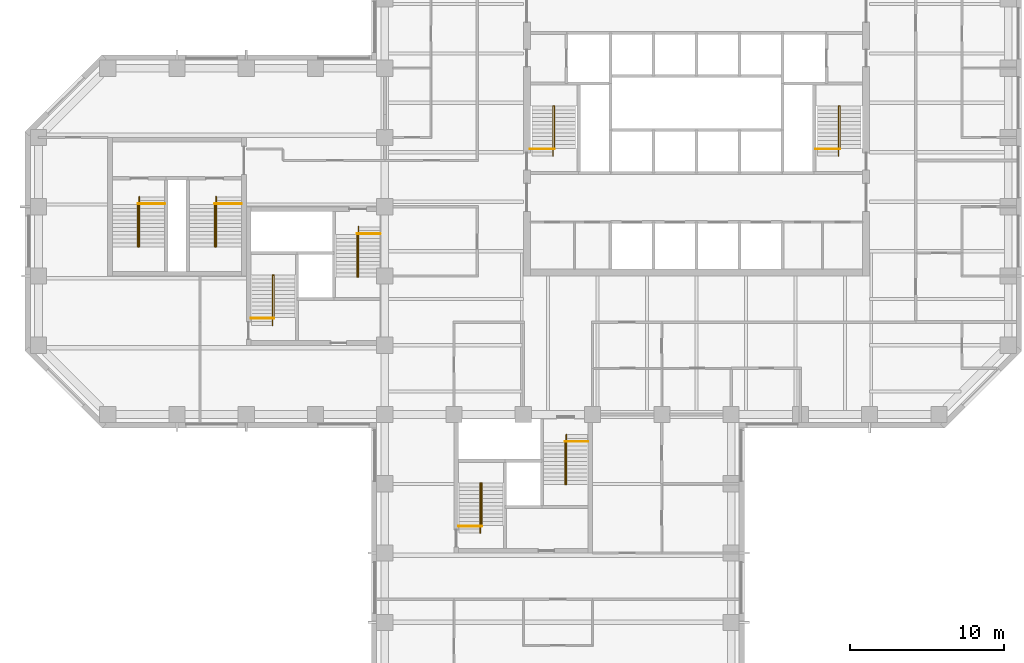
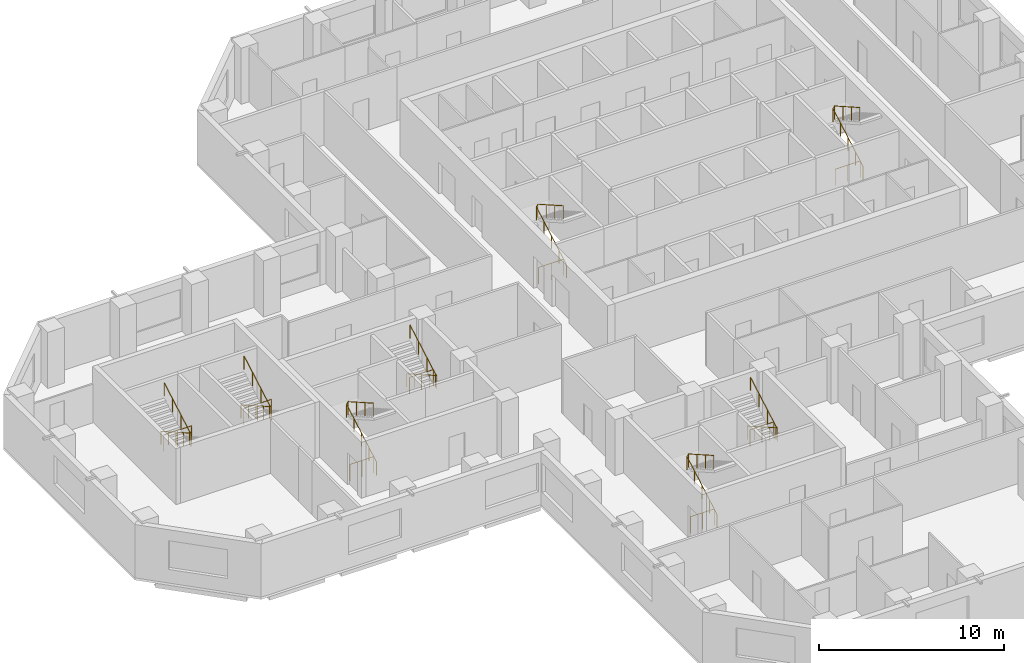
# One storey, part 11 of 11: 16 railings.
"""IFC4 building model written with IfcOpenShell, lengths in metres."""

from ifc_helpers import new_model, si_unit, direction, frame, origin, origin_2d, place, context, subcontext, project, spatial, circle, extrude, material, type_object, element, save


model = new_model("IFC4")

# Units and contexts
model_context = context("Model", 3, precision=1e-05, world=origin(), true_north=direction((0.0, 1.0)))
body_context = subcontext(model_context, "Body", "Model", "MODEL_VIEW")
ifc_project = project(units=[si_unit("LENGTHUNIT", "METRE"), si_unit("AREAUNIT", "SQUARE_METRE"), si_unit("VOLUMEUNIT", "CUBIC_METRE"), si_unit("PLANEANGLEUNIT", "RADIAN"), si_unit("MASSUNIT", "GRAM", prefix="KILO")], contexts=[model_context])

# Site, building, storey
site_placement = place(None, origin())
site = spatial("IfcSite", under=ifc_project, at=site_placement, CompositionType="ELEMENT")
building_placement = place(site_placement, origin())
building = spatial("IfcBuilding", under=site, at=building_placement, Name="Quoin Convention Tower", CompositionType="ELEMENT")
storey_placement = place(building_placement, frame((0.0, 0.0, 108.5)))
storey = spatial("IfcBuildingStorey", under=building, at=storey_placement, Name="L28", CompositionType="ELEMENT", Elevation=108.5)

# Railings
ifc_material = material(Name="Stainless steel", Category="steel")
railing_type_1 = type_object("IfcRailingType", Name="Stair handrail 900", PredefinedType="HANDRAIL", material=ifc_material)
railing_1_placement = place(storey_placement, frame((46.929931640625, 57.300048828125, 0.142333984375)))
element("IfcRailing", 1, at=railing_1_placement, inside=storey, type_object=railing_type_1, Name="SD1 handrail 1", PredefinedType="HANDRAIL", context=body_context, shape_type="SweptSolid", body=[
    extrude(circle(Radius=0.02392578125, at=origin_2d()), frame((0.0, 0.0, 0.8759765625), z_axis=(0.0, 0.869081571614, 0.494668800189), x_axis=(-1.0, 0.0, 0.0)), (0.0, 0.0, 1.0), 3.739501953125),
    extrude(circle(Radius=0.02392578125, at=origin_2d()), frame((0.0, 3.25, 2.7255859375), z_axis=(0.53481069233, 0.0, 0.844971906852), x_axis=(0.0, 1.0, 0.0)), (0.0, 0.0, 1.0), 0.16845703125),
    extrude(circle(Radius=0.02392578125, at=origin_2d()), frame((0.090087890625, 3.25, 2.8681640625), z_axis=(0.0, -0.869058607571, 0.494709143443), x_axis=(1.0, 0.0, 0.0)), (0.0, 0.0, 1.0), 3.164306640625),
    extrude(circle(Radius=0.02099609375, at=origin_2d()), origin(), (0.0, 0.0, 1.0), 0.851806640625),
    extrude(circle(Radius=0.02099609375, at=origin_2d()), frame((0.0, 0.8125, 0.46240234375)), (0.0, 0.0, 1.0), 0.851806640625),
    extrude(circle(Radius=0.02099609375, at=origin_2d()), frame((0.0, 1.625, 0.9248046875)), (0.0, 0.0, 1.0), 0.851806640625),
    extrude(circle(Radius=0.02099609375, at=origin_2d()), frame((0.0, 2.4375, 1.387451171875)), (0.0, 0.0, 1.0), 0.851806640625),
    extrude(circle(Radius=0.02099609375, at=origin_2d()), frame((0.0, 3.25, 1.849853515625)), (0.0, 0.0, 1.0), 0.851806640625),
    extrude(circle(Radius=0.02099609375, at=origin_2d()), frame((0.090087890625, 3.25, 1.9921875)), (0.0, 0.0, 1.0), 0.851806640625),
    extrude(circle(Radius=0.02099609375, at=origin_2d()), frame((0.090087890625, 2.333251953125, 2.513916015625)), (0.0, 0.0, 1.0), 0.851806640625),
    extrude(circle(Radius=0.02099609375, at=origin_2d()), frame((0.090087890625, 1.416748046875, 3.035888671875)), (0.0, 0.0, 1.0), 0.851806640625),
    extrude(circle(Radius=0.02099609375, at=origin_2d()), frame((0.090087890625, 0.5, 3.5576171875)), (0.0, 0.0, 1.0), 0.851806640625),
])
railing_2_placement = place(storey_placement, frame((65.47998046875, 57.300048828125, 0.142333984375)))
element("IfcRailing", 2, at=railing_2_placement, inside=storey, type_object=railing_type_1, Name="SD2 handrail 1", PredefinedType="HANDRAIL", context=body_context, shape_type="SweptSolid", body=[
    extrude(circle(Radius=0.02392578125, at=origin_2d()), frame((0.0, 0.0, 0.8759765625), z_axis=(0.0, 0.869081571614, 0.494668800189), x_axis=(-1.0, 0.0, 0.0)), (0.0, 0.0, 1.0), 3.739501953125),
    extrude(circle(Radius=0.02392578125, at=origin_2d()), frame((0.0, 3.25, 2.7255859375), z_axis=(0.53481069233, 0.0, 0.844971906852), x_axis=(0.0, 1.0, 0.0)), (0.0, 0.0, 1.0), 0.16845703125),
    extrude(circle(Radius=0.02392578125, at=origin_2d()), frame((0.090087890625, 3.25, 2.8681640625), z_axis=(0.0, -0.869058607571, 0.494709143443), x_axis=(1.0, 0.0, 0.0)), (0.0, 0.0, 1.0), 3.164306640625),
    extrude(circle(Radius=0.02099609375, at=origin_2d()), origin(), (0.0, 0.0, 1.0), 0.851806640625),
    extrude(circle(Radius=0.02099609375, at=origin_2d()), frame((0.0, 0.8125, 0.46240234375)), (0.0, 0.0, 1.0), 0.851806640625),
    extrude(circle(Radius=0.02099609375, at=origin_2d()), frame((0.0, 1.625, 0.9248046875)), (0.0, 0.0, 1.0), 0.851806640625),
    extrude(circle(Radius=0.02099609375, at=origin_2d()), frame((0.0, 2.4375, 1.387451171875)), (0.0, 0.0, 1.0), 0.851806640625),
    extrude(circle(Radius=0.02099609375, at=origin_2d()), frame((0.0, 3.25, 1.849853515625)), (0.0, 0.0, 1.0), 0.851806640625),
    extrude(circle(Radius=0.02099609375, at=origin_2d()), frame((0.090087890625, 3.25, 1.9921875)), (0.0, 0.0, 1.0), 0.851806640625),
    extrude(circle(Radius=0.02099609375, at=origin_2d()), frame((0.090087890625, 2.333251953125, 2.513916015625)), (0.0, 0.0, 1.0), 0.851806640625),
    extrude(circle(Radius=0.02099609375, at=origin_2d()), frame((0.090087890625, 1.416748046875, 3.035888671875)), (0.0, 0.0, 1.0), 0.851806640625),
    extrude(circle(Radius=0.02099609375, at=origin_2d()), frame((0.090087890625, 0.5, 3.5576171875)), (0.0, 0.0, 1.0), 0.851806640625),
])
railing_3_placement = place(storey_placement, frame((28.705078125, 46.300048828125, 0.142333984375)))
element("IfcRailing", 3, at=railing_3_placement, inside=storey, type_object=railing_type_1, Name="SD3 handrail 1", PredefinedType="HANDRAIL", context=body_context, shape_type="SweptSolid", body=[
    extrude(circle(Radius=0.02392578125, at=origin_2d()), frame((0.0, 0.0, 0.8759765625), z_axis=(0.0, 0.869081571614, 0.494668800189), x_axis=(-1.0, 0.0, 0.0)), (0.0, 0.0, 1.0), 3.739501953125),
    extrude(circle(Radius=0.02392578125, at=origin_2d()), frame((0.0, 3.25, 2.7255859375), z_axis=(0.533774684331, 0.0, 0.845626741753), x_axis=(0.0, 1.0, 0.0)), (0.0, 0.0, 1.0), 0.168212890625),
    extrude(circle(Radius=0.02392578125, at=origin_2d()), frame((0.08984375, 3.25, 2.8681640625), z_axis=(0.0, -0.869058607571, 0.494709143443), x_axis=(1.0, 0.0, 0.0)), (0.0, 0.0, 1.0), 3.164306640625),
    extrude(circle(Radius=0.02099609375, at=origin_2d()), origin(), (0.0, 0.0, 1.0), 0.851806640625),
    extrude(circle(Radius=0.02099609375, at=origin_2d()), frame((0.0, 0.8125, 0.46240234375)), (0.0, 0.0, 1.0), 0.851806640625),
    extrude(circle(Radius=0.02099609375, at=origin_2d()), frame((0.0, 1.625, 0.9248046875)), (0.0, 0.0, 1.0), 0.851806640625),
    extrude(circle(Radius=0.02099609375, at=origin_2d()), frame((0.0, 2.4375, 1.387451171875)), (0.0, 0.0, 1.0), 0.851806640625),
    extrude(circle(Radius=0.02099609375, at=origin_2d()), frame((0.0, 3.25, 1.849853515625)), (0.0, 0.0, 1.0), 0.851806640625),
    extrude(circle(Radius=0.02099609375, at=origin_2d()), frame((0.08984375, 3.25, 1.9921875)), (0.0, 0.0, 1.0), 0.851806640625),
    extrude(circle(Radius=0.02099609375, at=origin_2d()), frame((0.08984375, 2.333251953125, 2.513916015625)), (0.0, 0.0, 1.0), 0.851806640625),
    extrude(circle(Radius=0.02099609375, at=origin_2d()), frame((0.08984375, 1.416748046875, 3.035888671875)), (0.0, 0.0, 1.0), 0.851806640625),
    extrude(circle(Radius=0.02099609375, at=origin_2d()), frame((0.08984375, 0.5, 3.5576171875)), (0.0, 0.0, 1.0), 0.851806640625),
])
railing_4_placement = place(storey_placement, frame((34.294921875, 52.699951171875, 0.142333984375)))
element("IfcRailing", 4, at=railing_4_placement, inside=storey, type_object=railing_type_1, Name="SD4 handrail 1", PredefinedType="HANDRAIL", context=body_context, shape_type="SweptSolid", body=[
    extrude(circle(Radius=0.02392578125, at=origin_2d()), frame((0.0, 0.0, 0.8759765625), z_axis=(0.0, -0.869081571614, 0.494668800189), x_axis=(1.0, 0.0, 0.0)), (0.0, 0.0, 1.0), 3.739501953125),
    extrude(circle(Radius=0.02392578125, at=origin_2d()), frame((0.0, -3.25, 2.7255859375), z_axis=(-0.533774684331, 0.0, 0.845626741753), x_axis=(0.0, -1.0, 0.0)), (0.0, 0.0, 1.0), 0.168212890625),
    extrude(circle(Radius=0.02392578125, at=origin_2d()), frame((-0.08984375, -3.25, 2.8681640625), z_axis=(0.0, 0.869058607571, 0.494709143443), x_axis=(-1.0, 0.0, 0.0)), (0.0, 0.0, 1.0), 3.164306640625),
    extrude(circle(Radius=0.02099609375, at=origin_2d()), origin(), (0.0, 0.0, 1.0), 0.851806640625),
    extrude(circle(Radius=0.02099609375, at=origin_2d()), frame((0.0, -0.8125, 0.46240234375)), (0.0, 0.0, 1.0), 0.851806640625),
    extrude(circle(Radius=0.02099609375, at=origin_2d()), frame((0.0, -1.625, 0.9248046875)), (0.0, 0.0, 1.0), 0.851806640625),
    extrude(circle(Radius=0.02099609375, at=origin_2d()), frame((0.0, -2.4375, 1.387451171875)), (0.0, 0.0, 1.0), 0.851806640625),
    extrude(circle(Radius=0.02099609375, at=origin_2d()), frame((0.0, -3.25, 1.849853515625)), (0.0, 0.0, 1.0), 0.851806640625),
    extrude(circle(Radius=0.02099609375, at=origin_2d()), frame((-0.08984375, -3.25, 1.9921875)), (0.0, 0.0, 1.0), 0.851806640625),
    extrude(circle(Radius=0.02099609375, at=origin_2d()), frame((-0.08984375, -2.333251953125, 2.513916015625)), (0.0, 0.0, 1.0), 0.851806640625),
    extrude(circle(Radius=0.02099609375, at=origin_2d()), frame((-0.08984375, -1.416748046875, 3.035888671875)), (0.0, 0.0, 1.0), 0.851806640625),
    extrude(circle(Radius=0.02099609375, at=origin_2d()), frame((-0.08984375, -0.5, 3.5576171875)), (0.0, 0.0, 1.0), 0.851806640625),
])
railing_5_placement = place(storey_placement, frame((42.205078125, 32.800048828125, 0.142333984375)))
element("IfcRailing", 5, at=railing_5_placement, inside=storey, type_object=railing_type_1, Name="SD5 handrail 1", PredefinedType="HANDRAIL", context=body_context, shape_type="SweptSolid", body=[
    extrude(circle(Radius=0.02392578125, at=origin_2d()), frame((0.0, 0.0, 0.8759765625), z_axis=(0.0, 0.869081571614, 0.494668800189), x_axis=(-1.0, 0.0, 0.0)), (0.0, 0.0, 1.0), 3.739501953125),
    extrude(circle(Radius=0.02392578125, at=origin_2d()), frame((0.0, 3.25, 2.7255859375), z_axis=(0.533774684331, 0.0, 0.845626741753), x_axis=(0.0, 1.0, 0.0)), (0.0, 0.0, 1.0), 0.168212890625),
    extrude(circle(Radius=0.02392578125, at=origin_2d()), frame((0.08984375, 3.25, 2.8681640625), z_axis=(0.0, -0.869058607571, 0.494709143443), x_axis=(1.0, 0.0, 0.0)), (0.0, 0.0, 1.0), 3.164306640625),
    extrude(circle(Radius=0.02099609375, at=origin_2d()), origin(), (0.0, 0.0, 1.0), 0.851806640625),
    extrude(circle(Radius=0.02099609375, at=origin_2d()), frame((0.0, 0.8125, 0.46240234375)), (0.0, 0.0, 1.0), 0.851806640625),
    extrude(circle(Radius=0.02099609375, at=origin_2d()), frame((0.0, 1.625, 0.9248046875)), (0.0, 0.0, 1.0), 0.851806640625),
    extrude(circle(Radius=0.02099609375, at=origin_2d()), frame((0.0, 2.4375, 1.387451171875)), (0.0, 0.0, 1.0), 0.851806640625),
    extrude(circle(Radius=0.02099609375, at=origin_2d()), frame((0.0, 3.25, 1.849853515625)), (0.0, 0.0, 1.0), 0.851806640625),
    extrude(circle(Radius=0.02099609375, at=origin_2d()), frame((0.08984375, 3.25, 1.9921875)), (0.0, 0.0, 1.0), 0.851806640625),
    extrude(circle(Radius=0.02099609375, at=origin_2d()), frame((0.08984375, 2.333251953125, 2.513916015625)), (0.0, 0.0, 1.0), 0.851806640625),
    extrude(circle(Radius=0.02099609375, at=origin_2d()), frame((0.08984375, 1.416748046875, 3.035888671875)), (0.0, 0.0, 1.0), 0.851806640625),
    extrude(circle(Radius=0.02099609375, at=origin_2d()), frame((0.08984375, 0.5, 3.5576171875)), (0.0, 0.0, 1.0), 0.851806640625),
])
railing_6_placement = place(storey_placement, frame((47.794921875, 39.199951171875, 0.142333984375)))
element("IfcRailing", 6, at=railing_6_placement, inside=storey, type_object=railing_type_1, Name="SD6 handrail 1", PredefinedType="HANDRAIL", context=body_context, shape_type="SweptSolid", body=[
    extrude(circle(Radius=0.02392578125, at=origin_2d()), frame((0.0, 0.0, 0.8759765625), z_axis=(0.0, -0.869081571614, 0.494668800189), x_axis=(1.0, 0.0, 0.0)), (0.0, 0.0, 1.0), 3.739501953125),
    extrude(circle(Radius=0.02392578125, at=origin_2d()), frame((0.0, -3.25, 2.7255859375), z_axis=(-0.533774684331, 0.0, 0.845626741753), x_axis=(0.0, -1.0, 0.0)), (0.0, 0.0, 1.0), 0.168212890625),
    extrude(circle(Radius=0.02392578125, at=origin_2d()), frame((-0.08984375, -3.25, 2.8681640625), z_axis=(0.0, 0.869058607571, 0.494709143443), x_axis=(-1.0, 0.0, 0.0)), (0.0, 0.0, 1.0), 3.164306640625),
    extrude(circle(Radius=0.02099609375, at=origin_2d()), origin(), (0.0, 0.0, 1.0), 0.851806640625),
    extrude(circle(Radius=0.02099609375, at=origin_2d()), frame((0.0, -0.8125, 0.46240234375)), (0.0, 0.0, 1.0), 0.851806640625),
    extrude(circle(Radius=0.02099609375, at=origin_2d()), frame((0.0, -1.625, 0.9248046875)), (0.0, 0.0, 1.0), 0.851806640625),
    extrude(circle(Radius=0.02099609375, at=origin_2d()), frame((0.0, -2.4375, 1.387451171875)), (0.0, 0.0, 1.0), 0.851806640625),
    extrude(circle(Radius=0.02099609375, at=origin_2d()), frame((0.0, -3.25, 1.849853515625)), (0.0, 0.0, 1.0), 0.851806640625),
    extrude(circle(Radius=0.02099609375, at=origin_2d()), frame((-0.08984375, -3.25, 1.9921875)), (0.0, 0.0, 1.0), 0.851806640625),
    extrude(circle(Radius=0.02099609375, at=origin_2d()), frame((-0.08984375, -2.333251953125, 2.513916015625)), (0.0, 0.0, 1.0), 0.851806640625),
    extrude(circle(Radius=0.02099609375, at=origin_2d()), frame((-0.08984375, -1.416748046875, 3.035888671875)), (0.0, 0.0, 1.0), 0.851806640625),
    extrude(circle(Radius=0.02099609375, at=origin_2d()), frame((-0.08984375, -0.5, 3.5576171875)), (0.0, 0.0, 1.0), 0.851806640625),
])
railing_7_placement = place(storey_placement, frame((20.044921875, 54.64990234375, 0.142333984375)))
element("IfcRailing", 7, at=railing_7_placement, inside=storey, type_object=railing_type_1, Name="SD11 handrail 1", PredefinedType="HANDRAIL", context=body_context, shape_type="SweptSolid", body=[
    extrude(circle(Radius=0.02392578125, at=origin_2d()), frame((0.0, 0.0, 0.8759765625), z_axis=(0.0, -0.869081571614, 0.494668800189), x_axis=(1.0, 0.0, 0.0)), (0.0, 0.0, 1.0), 3.739501953125),
    extrude(circle(Radius=0.02392578125, at=origin_2d()), frame((0.0, -3.25, 2.7255859375), z_axis=(-0.533774684331, 0.0, 0.845626741753), x_axis=(0.0, -1.0, 0.0)), (0.0, 0.0, 1.0), 0.168212890625),
    extrude(circle(Radius=0.02392578125, at=origin_2d()), frame((-0.08984375, -3.25, 2.8681640625), z_axis=(0.0, 0.869058607571, 0.494709143443), x_axis=(-1.0, 0.0, 0.0)), (0.0, 0.0, 1.0), 3.164306640625),
    extrude(circle(Radius=0.02099609375, at=origin_2d()), origin(), (0.0, 0.0, 1.0), 0.851806640625),
    extrude(circle(Radius=0.02099609375, at=origin_2d()), frame((0.0, -0.8125, 0.46240234375)), (0.0, 0.0, 1.0), 0.851806640625),
    extrude(circle(Radius=0.02099609375, at=origin_2d()), frame((0.0, -1.625, 0.9248046875)), (0.0, 0.0, 1.0), 0.851806640625),
    extrude(circle(Radius=0.02099609375, at=origin_2d()), frame((0.0, -2.4375, 1.387451171875)), (0.0, 0.0, 1.0), 0.851806640625),
    extrude(circle(Radius=0.02099609375, at=origin_2d()), frame((0.0, -3.25, 1.849853515625)), (0.0, 0.0, 1.0), 0.851806640625),
    extrude(circle(Radius=0.02099609375, at=origin_2d()), frame((-0.08984375, -3.25, 1.9921875)), (0.0, 0.0, 1.0), 0.851806640625),
    extrude(circle(Radius=0.02099609375, at=origin_2d()), frame((-0.08984375, -2.333251953125, 2.513916015625)), (0.0, 0.0, 1.0), 0.851806640625),
    extrude(circle(Radius=0.02099609375, at=origin_2d()), frame((-0.08984375, -1.416748046875, 3.035888671875)), (0.0, 0.0, 1.0), 0.851806640625),
    extrude(circle(Radius=0.02099609375, at=origin_2d()), frame((-0.08984375, -0.5, 3.5576171875)), (0.0, 0.0, 1.0), 0.851806640625),
])
railing_8_placement = place(storey_placement, frame((25.044921875, 54.64990234375, 0.142333984375)))
element("IfcRailing", 8, at=railing_8_placement, inside=storey, type_object=railing_type_1, Name="SD12 handrail 1", PredefinedType="HANDRAIL", context=body_context, shape_type="SweptSolid", body=[
    extrude(circle(Radius=0.02392578125, at=origin_2d()), frame((0.0, 0.0, 0.8759765625), z_axis=(0.0, -0.869081571614, 0.494668800189), x_axis=(1.0, 0.0, 0.0)), (0.0, 0.0, 1.0), 3.739501953125),
    extrude(circle(Radius=0.02392578125, at=origin_2d()), frame((0.0, -3.25, 2.7255859375), z_axis=(-0.533774684331, 0.0, 0.845626741753), x_axis=(0.0, -1.0, 0.0)), (0.0, 0.0, 1.0), 0.168212890625),
    extrude(circle(Radius=0.02392578125, at=origin_2d()), frame((-0.08984375, -3.25, 2.8681640625), z_axis=(0.0, 0.869058607571, 0.494709143443), x_axis=(-1.0, 0.0, 0.0)), (0.0, 0.0, 1.0), 3.164306640625),
    extrude(circle(Radius=0.02099609375, at=origin_2d()), origin(), (0.0, 0.0, 1.0), 0.851806640625),
    extrude(circle(Radius=0.02099609375, at=origin_2d()), frame((0.0, -0.8125, 0.46240234375)), (0.0, 0.0, 1.0), 0.851806640625),
    extrude(circle(Radius=0.02099609375, at=origin_2d()), frame((0.0, -1.625, 0.9248046875)), (0.0, 0.0, 1.0), 0.851806640625),
    extrude(circle(Radius=0.02099609375, at=origin_2d()), frame((0.0, -2.4375, 1.387451171875)), (0.0, 0.0, 1.0), 0.851806640625),
    extrude(circle(Radius=0.02099609375, at=origin_2d()), frame((0.0, -3.25, 1.849853515625)), (0.0, 0.0, 1.0), 0.851806640625),
    extrude(circle(Radius=0.02099609375, at=origin_2d()), frame((-0.08984375, -3.25, 1.9921875)), (0.0, 0.0, 1.0), 0.851806640625),
    extrude(circle(Radius=0.02099609375, at=origin_2d()), frame((-0.08984375, -2.333251953125, 2.513916015625)), (0.0, 0.0, 1.0), 0.851806640625),
    extrude(circle(Radius=0.02099609375, at=origin_2d()), frame((-0.08984375, -1.416748046875, 3.035888671875)), (0.0, 0.0, 1.0), 0.851806640625),
    extrude(circle(Radius=0.02099609375, at=origin_2d()), frame((-0.08984375, -0.5, 3.5576171875)), (0.0, 0.0, 1.0), 0.851806640625),
])
railing_type_2 = type_object("IfcRailingType", Name="Stair top guard 1100", PredefinedType="GUARDRAIL", material=ifc_material)
for number, where, name in (
    (9, (45.449951171875, 57.75, 0.0), "SD1 top guard"),
    (10, (64.0, 57.75, 0.0), "SD2 top guard"),
):
    element("IfcRailing", number, at=place(storey_placement, frame(where)), inside=storey, type_object=railing_type_2, Name=name, PredefinedType="GUARDRAIL", context=body_context, shape_type="SweptSolid", body=[
        extrude(circle(Radius=0.02392578125, at=origin_2d()), frame((0.0, 0.0, 1.076171875), z_axis=(1.0, 0.0, 0.0), x_axis=(0.0, 1.0, 0.0)), (0.0, 0.0, 1.0), 1.570068359375),
        extrude(circle(Radius=0.02099609375, at=origin_2d()), origin(), (0.0, 0.0, 1.0), 1.052001953125),
        extrude(circle(Radius=0.02099609375, at=origin_2d()), frame((0.78515625, 0.0, 0.0)), (0.0, 0.0, 1.0), 1.052001953125),
        extrude(circle(Radius=0.02099609375, at=origin_2d()), frame((1.570068359375, 0.0, 0.0)), (0.0, 0.0, 1.0), 1.052001953125),
    ])
railing_9_placement = place(storey_placement, frame((27.300048828125, 46.75, 0.0)))
element("IfcRailing", 11, at=railing_9_placement, inside=storey, type_object=railing_type_2, Name="SD3 top guard", PredefinedType="GUARDRAIL", context=body_context, shape_type="SweptSolid", body=[
    extrude(circle(Radius=0.02392578125, at=origin_2d()), frame((0.0, 0.0, 1.076171875), z_axis=(1.0, 0.0, 0.0), x_axis=(0.0, 1.0, 0.0)), (0.0, 0.0, 1.0), 1.494873046875),
    extrude(circle(Radius=0.02099609375, at=origin_2d()), origin(), (0.0, 0.0, 1.0), 1.052001953125),
    extrude(circle(Radius=0.02099609375, at=origin_2d()), frame((0.74755859375, 0.0, 0.0)), (0.0, 0.0, 1.0), 1.052001953125),
    extrude(circle(Radius=0.02099609375, at=origin_2d()), frame((1.494873046875, 0.0, 0.0)), (0.0, 0.0, 1.0), 1.052001953125),
])
railing_10_placement = place(storey_placement, frame((35.699951171875, 52.25, 0.0)))
element("IfcRailing", 12, at=railing_10_placement, inside=storey, type_object=railing_type_2, Name="SD4 top guard", PredefinedType="GUARDRAIL", context=body_context, shape_type="SweptSolid", body=[
    extrude(circle(Radius=0.02392578125, at=origin_2d()), frame((0.0, 0.0, 1.076171875), z_axis=(-1.0, 0.0, 0.0), x_axis=(0.0, -1.0, 0.0)), (0.0, 0.0, 1.0), 1.494873046875),
    extrude(circle(Radius=0.02099609375, at=origin_2d()), origin(), (0.0, 0.0, 1.0), 1.052001953125),
    extrude(circle(Radius=0.02099609375, at=origin_2d()), frame((-0.74755859375, 0.0, 0.0)), (0.0, 0.0, 1.0), 1.052001953125),
    extrude(circle(Radius=0.02099609375, at=origin_2d()), frame((-1.494873046875, 0.0, 0.0)), (0.0, 0.0, 1.0), 1.052001953125),
])
railing_11_placement = place(storey_placement, frame((40.800048828125, 33.25, 0.0)))
element("IfcRailing", 13, at=railing_11_placement, inside=storey, type_object=railing_type_2, Name="SD5 top guard", PredefinedType="GUARDRAIL", context=body_context, shape_type="SweptSolid", body=[
    extrude(circle(Radius=0.02392578125, at=origin_2d()), frame((0.0, 0.0, 1.076171875), z_axis=(1.0, 0.0, 0.0), x_axis=(0.0, 1.0, 0.0)), (0.0, 0.0, 1.0), 1.494873046875),
    extrude(circle(Radius=0.02099609375, at=origin_2d()), origin(), (0.0, 0.0, 1.0), 1.052001953125),
    extrude(circle(Radius=0.02099609375, at=origin_2d()), frame((0.74755859375, 0.0, 0.0)), (0.0, 0.0, 1.0), 1.052001953125),
    extrude(circle(Radius=0.02099609375, at=origin_2d()), frame((1.494873046875, 0.0, 0.0)), (0.0, 0.0, 1.0), 1.052001953125),
])
railing_12_placement = place(storey_placement, frame((49.199951171875, 38.75, 0.0)))
element("IfcRailing", 14, at=railing_12_placement, inside=storey, type_object=railing_type_2, Name="SD6 top guard", PredefinedType="GUARDRAIL", context=body_context, shape_type="SweptSolid", body=[
    extrude(circle(Radius=0.02392578125, at=origin_2d()), frame((0.0, 0.0, 1.076171875), z_axis=(-1.0, 0.0, 0.0), x_axis=(0.0, -1.0, 0.0)), (0.0, 0.0, 1.0), 1.494873046875),
    extrude(circle(Radius=0.02099609375, at=origin_2d()), origin(), (0.0, 0.0, 1.0), 1.052001953125),
    extrude(circle(Radius=0.02099609375, at=origin_2d()), frame((-0.74755859375, 0.0, 0.0)), (0.0, 0.0, 1.0), 1.052001953125),
    extrude(circle(Radius=0.02099609375, at=origin_2d()), frame((-1.494873046875, 0.0, 0.0)), (0.0, 0.0, 1.0), 1.052001953125),
])
for number, where, name in (
    (15, (21.699951171875, 54.199951171875, 0.0), "SD11 top guard"),
    (16, (26.699951171875, 54.199951171875, 0.0), "SD12 top guard"),
):
    element("IfcRailing", number, at=place(storey_placement, frame(where)), inside=storey, type_object=railing_type_2, Name=name, PredefinedType="GUARDRAIL", context=body_context, shape_type="SweptSolid", body=[
        extrude(circle(Radius=0.02392578125, at=origin_2d()), frame((0.0, 0.0, 1.076171875), z_axis=(-1.0, 0.0, 0.0), x_axis=(0.0, -1.0, 0.0)), (0.0, 0.0, 1.0), 1.744873046875),
        extrude(circle(Radius=0.02099609375, at=origin_2d()), origin(), (0.0, 0.0, 1.0), 1.052001953125),
        extrude(circle(Radius=0.02099609375, at=origin_2d()), frame((-0.87255859375, 0.0, 0.0)), (0.0, 0.0, 1.0), 1.052001953125),
        extrude(circle(Radius=0.02099609375, at=origin_2d()), frame((-1.744873046875, 0.0, 0.0)), (0.0, 0.0, 1.0), 1.052001953125),
    ])

save(model, "model.ifc")
